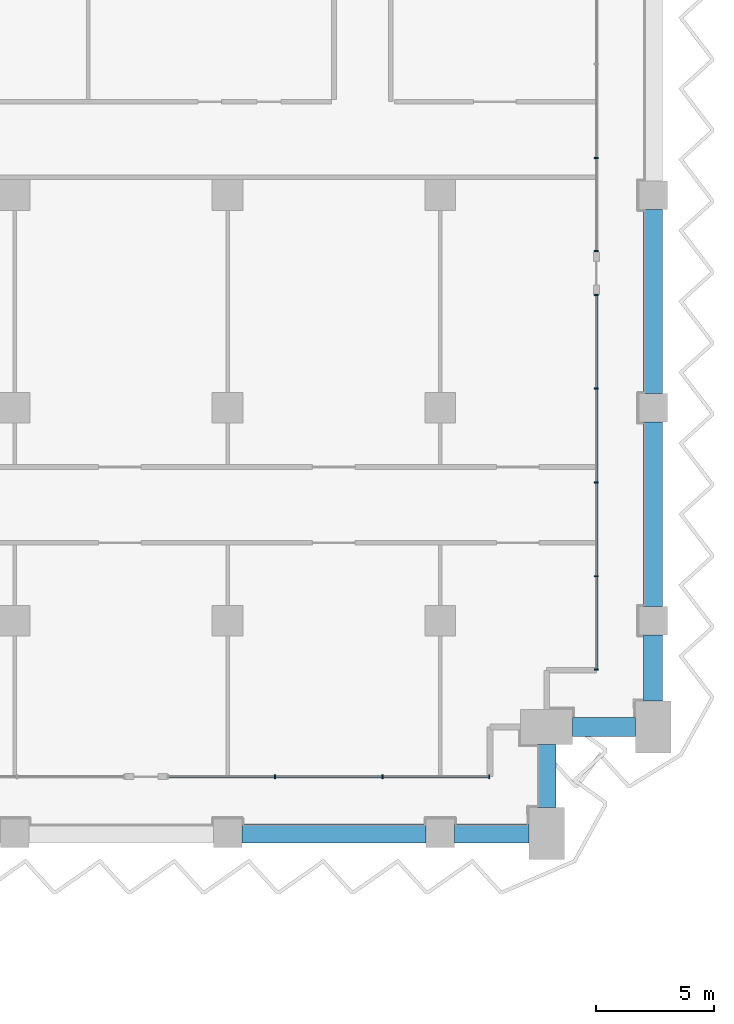
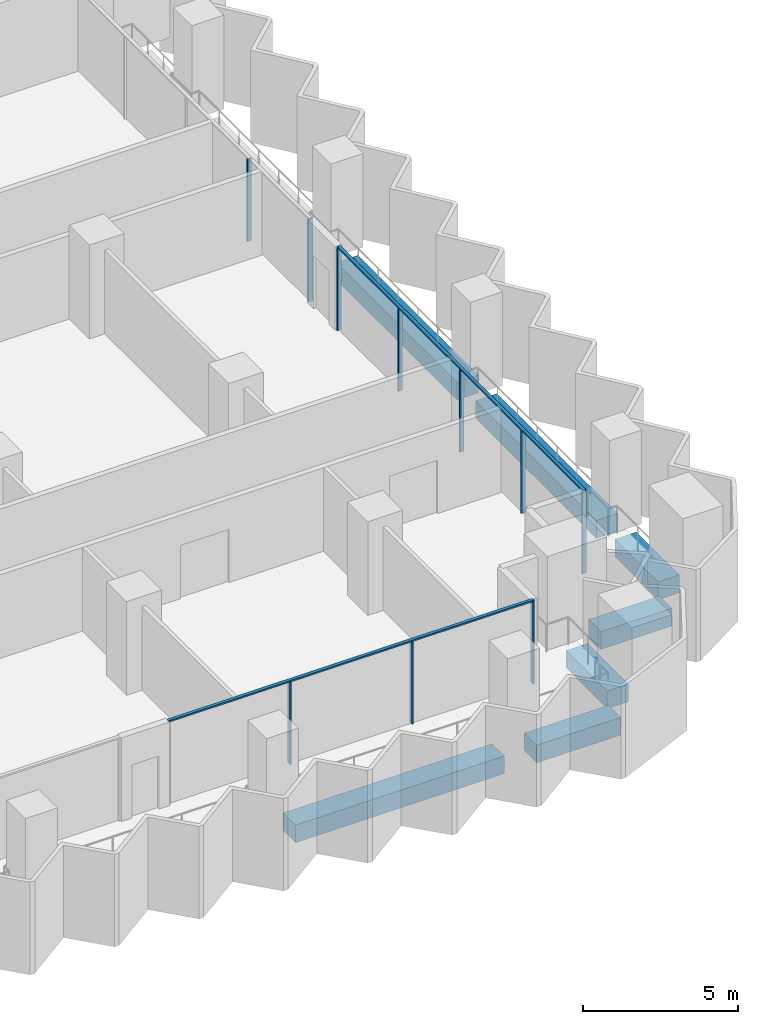
# One storey, part 5 of 22: 12 members, 7 beams, 3 elements without a shape of their own.
"""IFC4 building model written with IfcOpenShell, lengths in metres."""

from ifc_helpers import new_model, si_unit, direction, frame, origin, origin_2d, place, context, subcontext, project, spatial, rectangle, extrude, material, material_profile, profile_set, type_object, element, aggregate, save


model = new_model("IFC4")

# Units and contexts
model_context = context("Model", 3, precision=1e-05, world=origin(), true_north=direction((0.0, 1.0)))
body_context = subcontext(model_context, "Body", "Model", "MODEL_VIEW")
ifc_project = project(units=[si_unit("LENGTHUNIT", "METRE"), si_unit("AREAUNIT", "SQUARE_METRE"), si_unit("VOLUMEUNIT", "CUBIC_METRE"), si_unit("PLANEANGLEUNIT", "RADIAN"), si_unit("MASSUNIT", "GRAM", prefix="KILO")], contexts=[model_context])

# Site, building, storey
site_placement = place(None, origin())
site = spatial("IfcSite", under=ifc_project, at=site_placement, CompositionType="ELEMENT")
building_placement = place(site_placement, origin())
building = spatial("IfcBuilding", under=site, at=building_placement, Name="Hunhe Ridgeline Campus", CompositionType="ELEMENT")
storey_placement = place(building_placement, frame((0.0, 0.0, 114.39990234375)))
storey = spatial("IfcBuildingStorey", under=building, at=storey_placement, Name="L28", CompositionType="ELEMENT", Elevation=114.39990234375)

# Curtain wall, members
ifc_material_1 = material(Name="Aluminium 6063", Category="aluminium")
curtain_wall_type = type_object("IfcCurtainWallType", Name="Curtain wall CW-1", PredefinedType="NOTDEFINED", material=ifc_material_1)
curtain_wall_1_placement = place(storey_placement, origin())
curtain_wall_1 = element("IfcCurtainWall", 1, at=curtain_wall_1_placement, inside=storey, type_object=curtain_wall_type, Name="Curtain wall 13", PredefinedType="NOTDEFINED")
ifc_material_profile_1 = material_profile(ifc_material_1, rectangle(XDim=0.159912109375, YDim=0.06005859375, at=origin_2d()))
ifc_profile_set_1 = profile_set([ifc_material_profile_1], Name="Aluminium 6063")
member_type_1 = type_object("IfcMemberType", Name="CW-1 aluminium mullion", PredefinedType="MULLION", material=ifc_profile_set_1)
member_1_placement = place(storey_placement, frame((64.999267578125, 56.40087890625, 0.0), z_axis=(0.0, 0.0, 1.0), x_axis=(-1.4652e-07, 1.0, 0.0)))
member_1 = element("IfcMember", 2, at=member_1_placement, type_object=member_type_1, Name="CW-1 mullion 2", PredefinedType="MULLION", context=body_context, shape_type="SweptSolid", body=[
    extrude(rectangle(XDim=0.159912109375, YDim=0.06005859375, at=origin_2d()), origin(), (0.0, 0.0, 1.0), 3.239990234375),
])
member_2_placement = place(storey_placement, frame((69.549072265625, 56.40087890625, 0.0), z_axis=(0.0, 0.0, 1.0), x_axis=(-1.4652e-07, 1.0, 0.0)))
member_2 = element("IfcMember", 3, at=member_2_placement, type_object=member_type_1, Name="CW-1 mullion 3", PredefinedType="MULLION", context=body_context, shape_type="SweptSolid", body=[
    extrude(rectangle(XDim=0.159912109375, YDim=0.06005859375, at=origin_2d()), origin(), (0.0, 0.0, 1.0), 3.239990234375),
])
member_3_placement = place(storey_placement, frame((74.069091796875, 56.40087890625, 0.0), z_axis=(0.0, 0.0, 1.0), x_axis=(-1.4652e-07, 1.0, 0.0)))
member_3 = element("IfcMember", 4, at=member_3_placement, type_object=member_type_1, Name="CW-1 mullion 4", PredefinedType="MULLION", context=body_context, shape_type="SweptSolid", body=[
    extrude(rectangle(XDim=0.159912109375, YDim=0.06005859375, at=origin_2d()), origin(), (0.0, 0.0, 1.0), 3.239990234375),
])

curtain_wall_2_placement = place(storey_placement, origin())
curtain_wall_2 = element("IfcCurtainWall", 5, at=curtain_wall_2_placement, inside=storey, type_object=curtain_wall_type, Name="Curtain wall 14", PredefinedType="NOTDEFINED")
member_4_placement = place(storey_placement, frame((78.59912109375, 60.930908203125, 0.0), z_axis=(0.0, 0.0, 1.0), x_axis=(-1.0, 0.0, 0.0)))
member_4 = element("IfcMember", 6, at=member_4_placement, type_object=member_type_1, Name="CW-1 mullion 1", PredefinedType="MULLION", context=body_context, shape_type="SweptSolid", body=[
    extrude(rectangle(XDim=0.159912109375, YDim=0.06005859375, at=origin_2d()), origin(), (0.0, 0.0, 1.0), 3.239990234375),
])
member_5_placement = place(storey_placement, frame((78.59912109375, 64.8759765625, 0.0), z_axis=(0.0, 0.0, 1.0), x_axis=(-1.0, 0.0, 0.0)))
member_5 = element("IfcMember", 7, at=member_5_placement, type_object=member_type_1, Name="CW-1 mullion 2", PredefinedType="MULLION", context=body_context, shape_type="SweptSolid", body=[
    extrude(rectangle(XDim=0.159912109375, YDim=0.06005859375, at=origin_2d()), origin(), (0.0, 0.0, 1.0), 3.239990234375),
])
member_6_placement = place(storey_placement, frame((78.59912109375, 68.850830078125, 0.0), z_axis=(0.0, 0.0, 1.0), x_axis=(-1.0, 0.0, 0.0)))
member_6 = element("IfcMember", 8, at=member_6_placement, type_object=member_type_1, Name="CW-1 mullion 3", PredefinedType="MULLION", context=body_context, shape_type="SweptSolid", body=[
    extrude(rectangle(XDim=0.159912109375, YDim=0.06005859375, at=origin_2d()), origin(), (0.0, 0.0, 1.0), 3.239990234375),
])
member_7_placement = place(storey_placement, frame((78.59912109375, 72.82568359375, 0.0), z_axis=(0.0, 0.0, 1.0), x_axis=(-1.0, 0.0, 0.0)))
member_7 = element("IfcMember", 9, at=member_7_placement, type_object=member_type_1, Name="CW-1 mullion 4", PredefinedType="MULLION", context=body_context, shape_type="SweptSolid", body=[
    extrude(rectangle(XDim=0.159912109375, YDim=0.06005859375, at=origin_2d()), origin(), (0.0, 0.0, 1.0), 3.239990234375),
])
member_8_placement = place(storey_placement, frame((78.59912109375, 76.7705078125, 0.0), z_axis=(0.0, 0.0, 1.0), x_axis=(-1.0, 0.0, 0.0)))
member_8 = element("IfcMember", 10, at=member_8_placement, type_object=member_type_1, Name="CW-1 mullion 5", PredefinedType="MULLION", context=body_context, shape_type="SweptSolid", body=[
    extrude(rectangle(XDim=0.159912109375, YDim=0.06005859375, at=origin_2d()), origin(), (0.0, 0.0, 1.0), 3.239990234375),
])

curtain_wall_3_placement = place(storey_placement, origin())
curtain_wall_3 = element("IfcCurtainWall", 11, at=curtain_wall_3_placement, inside=storey, type_object=curtain_wall_type, Name="Curtain wall 15", PredefinedType="NOTDEFINED")
member_9_placement = place(storey_placement, frame((78.59912109375, 78.630615234375, 0.0), z_axis=(0.0, 0.0, 1.0), x_axis=(-1.0, 0.0, 0.0)))
member_9 = element("IfcMember", 12, at=member_9_placement, type_object=member_type_1, Name="CW-1 mullion 1", PredefinedType="MULLION", context=body_context, shape_type="SweptSolid", body=[
    extrude(rectangle(XDim=0.159912109375, YDim=0.06005859375, at=origin_2d()), origin(), (0.0, 0.0, 1.0), 3.239990234375),
])
member_10_placement = place(storey_placement, frame((78.59912109375, 82.575439453125, 0.0), z_axis=(0.0, 0.0, 1.0), x_axis=(-1.0, 0.0, 0.0)))
member_10 = element("IfcMember", 13, at=member_10_placement, type_object=member_type_1, Name="CW-1 mullion 2", PredefinedType="MULLION", context=body_context, shape_type="SweptSolid", body=[
    extrude(rectangle(XDim=0.159912109375, YDim=0.06005859375, at=origin_2d()), origin(), (0.0, 0.0, 1.0), 3.239990234375),
])
aggregate(curtain_wall_3, [member_9, member_10])

# Member
ifc_material_profile_2 = material_profile(ifc_material_1, rectangle(XDim=0.1201171875, YDim=0.06005859375, at=origin_2d()))
ifc_profile_set_2 = profile_set([ifc_material_profile_2], Name="Aluminium 6063")
member_type_2 = type_object("IfcMemberType", Name="CW-1 aluminium transom", PredefinedType="USERDEFINED", material=ifc_profile_set_2)
member_11_placement = place(storey_placement, frame((60.449462890625, 56.40087890625, 3.27001953125), z_axis=(1.0, 0.0, 0.0), x_axis=(0.0, 1.0, 0.0)))
member_11 = element("IfcMember", 14, at=member_11_placement, type_object=member_type_2, Name="CW-1 transom 1", ObjectType="TRANSOM", PredefinedType="USERDEFINED", context=body_context, shape_type="SweptSolid", body=[
    extrude(rectangle(XDim=0.1201171875, YDim=0.06005859375, at=origin_2d()), origin(), (0.0, 0.0, 1.0), 13.649658203125),
])

aggregate(curtain_wall_1, [member_11, member_1, member_2, member_3])

member_12_placement = place(storey_placement, frame((78.59912109375, 60.90087890625, 3.27001953125), z_axis=(0.0, 1.0, 0.0), x_axis=(-1.0, 0.0, 0.0)))
member_12 = element("IfcMember", 15, at=member_12_placement, type_object=member_type_2, Name="CW-1 transom 1", ObjectType="TRANSOM", PredefinedType="USERDEFINED", context=body_context, shape_type="SweptSolid", body=[
    extrude(rectangle(XDim=0.1201171875, YDim=0.06005859375, at=origin_2d()), origin(), (0.0, 0.0, 1.0), 15.899658203125),
])

aggregate(curtain_wall_2, [member_12, member_4, member_5, member_6, member_7, member_8])

# Beams
ifc_material_2 = material(Name="Concrete C60", Category="concrete")
ifc_material_profile_3 = material_profile(ifc_material_2, rectangle(XDim=0.800048828125, YDim=0.699951171875, at=origin_2d()))
ifc_profile_set_3 = profile_set([ifc_material_profile_3], Name="Concrete C60")
beam_type = type_object("IfcBeamType", Name="RC spandrel beam 800x700 Concrete C60", PredefinedType="SPANDREL", material=ifc_profile_set_3)
beam_1_placement = place(storey_placement, frame((63.60009765625, 54.0, -0.599853515625), z_axis=(1.0, 0.0, 0.0), x_axis=(0.0, 1.0, 0.0)))
element("IfcBeam", 16, at=beam_1_placement, inside=storey, type_object=beam_type, Name="Spandrel beam B1-14 L28", PredefinedType="SPANDREL", context=body_context, shape_type="SweptSolid", body=[
    extrude(rectangle(XDim=0.800048828125, YDim=0.699951171875, at=origin_2d()), origin(), (0.0, 0.0, 1.0), 7.7998046875),
])
beam_2_placement = place(storey_placement, frame((72.60009765625, 54.0, -0.599853515625), z_axis=(1.0, 0.0, 0.0), x_axis=(0.0, 1.0, 0.0)))
element("IfcBeam", 17, at=beam_2_placement, inside=storey, type_object=beam_type, Name="Spandrel beam B1-15 L28", PredefinedType="SPANDREL", context=body_context, shape_type="SweptSolid", body=[
    extrude(rectangle(XDim=0.800048828125, YDim=0.699951171875, at=origin_2d()), origin(), (0.0, 0.0, 1.0), 3.14990234375),
])
for number, where, z_axis, x_axis, name in (
    (18, (76.5, 55.10009765625, -0.599853515625), (0.0, 1.0, 0.0), (-1.0, 0.0, 0.0), "Spandrel beam B1-16 L28"),
    (19, (77.60009765625, 58.5, -0.599853515625), (1.0, 0.0, 0.0), (0.0, 1.0, 0.0), "Spandrel beam B1-17 L28"),
):
    element("IfcBeam", number, at=place(storey_placement, frame(where, z_axis=z_axis, x_axis=x_axis)), inside=storey, type_object=beam_type, Name=name, PredefinedType="SPANDREL", context=body_context, shape_type="SweptSolid", body=[
        extrude(rectangle(XDim=0.800048828125, YDim=0.699951171875, at=origin_2d()), origin(), (0.0, 0.0, 1.0), 2.64990234375),
    ])
beam_3_placement = place(storey_placement, frame((81.0, 59.60009765625, -0.599853515625), z_axis=(0.0, 1.0, 0.0), x_axis=(-1.0, 0.0, 0.0)))
element("IfcBeam", 20, at=beam_3_placement, inside=storey, type_object=beam_type, Name="Spandrel beam B1-18 L28", PredefinedType="SPANDREL", context=body_context, shape_type="SweptSolid", body=[
    extrude(rectangle(XDim=0.800048828125, YDim=0.699951171875, at=origin_2d()), origin(), (0.0, 0.0, 1.0), 2.7998046875),
])
for number, where, z_axis, x_axis, name in (
    (21, (81.0, 63.60009765625, -0.599853515625), (0.0, 1.0, 0.0), (-1.0, 0.0, 0.0), "Spandrel beam B1-19 L28"),
    (22, (81.0, 72.60009765625, -0.599853515625), (0.0, 1.0, 0.0), (-1.0, 0.0, 0.0), "Spandrel beam B1-20 L28"),
):
    element("IfcBeam", number, at=place(storey_placement, frame(where, z_axis=z_axis, x_axis=x_axis)), inside=storey, type_object=beam_type, Name=name, PredefinedType="SPANDREL", context=body_context, shape_type="SweptSolid", body=[
        extrude(rectangle(XDim=0.800048828125, YDim=0.699951171875, at=origin_2d()), origin(), (0.0, 0.0, 1.0), 7.7998046875),
    ])

save(model, "model.ifc")
